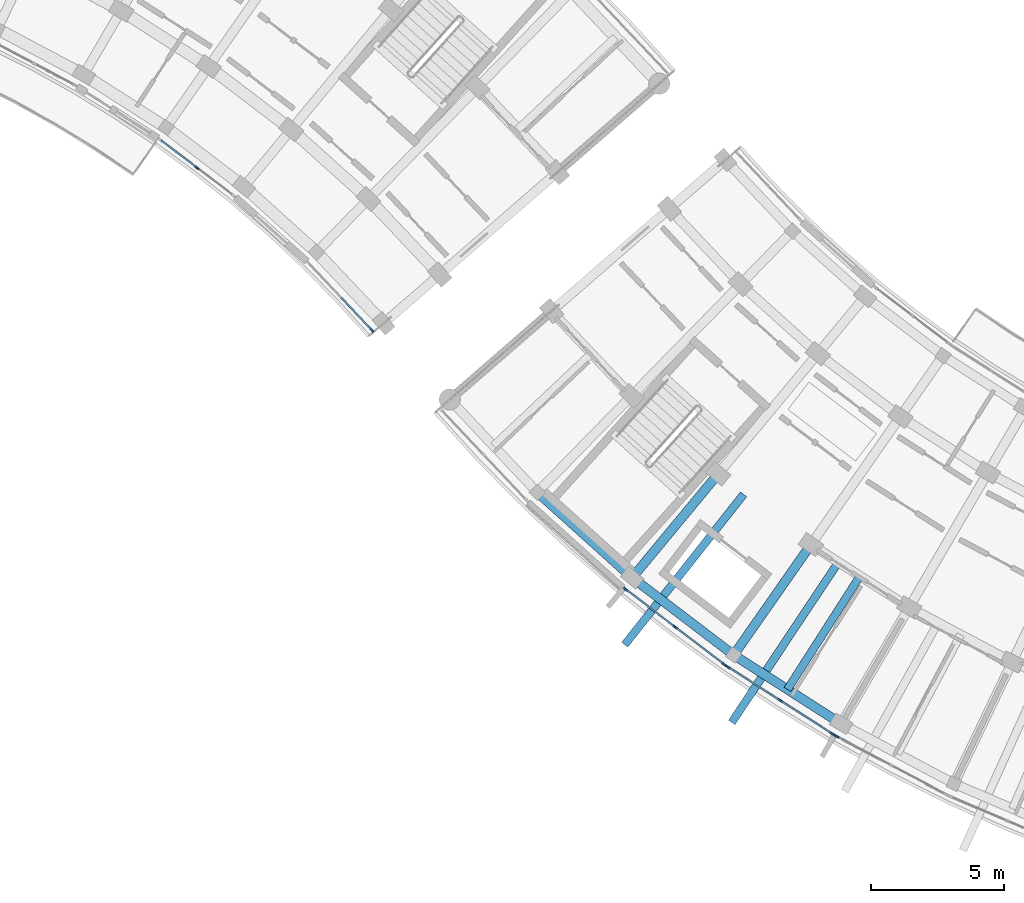
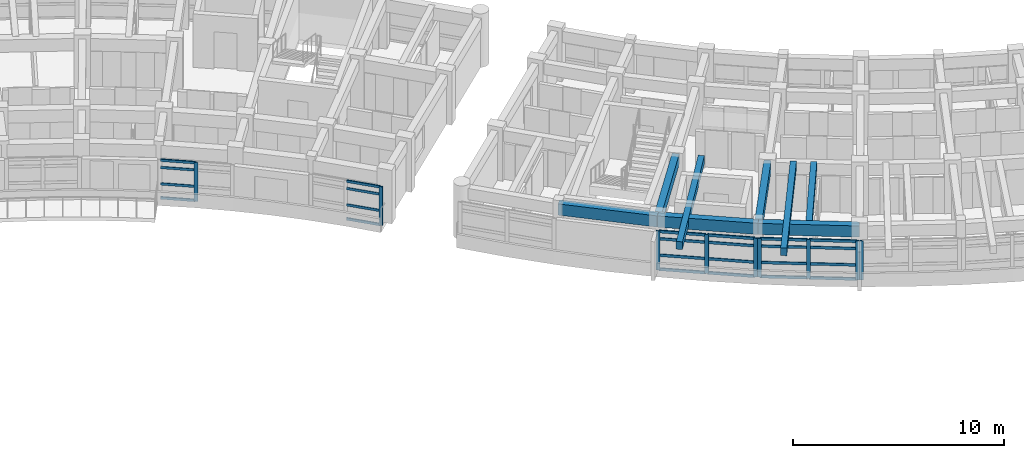
# One storey, part 9 of 56: 33 members, 8 beams, 5 elements without a shape of their own.
"""IFC4 building model written with IfcOpenShell, lengths in metres."""

from ifc_helpers import new_model, si_unit, direction, frame, origin, origin_2d, place, context, subcontext, project, spatial, rectangle, extrude, material, material_profile, profile_set, type_object, element, aggregate, save


model = new_model("IFC4")

# Units and contexts
model_context = context("Model", 3, precision=1e-05, world=origin(), true_north=direction((0.0, 1.0)))
body_context = subcontext(model_context, "Body", "Model", "MODEL_VIEW")
ifc_project = project(units=[si_unit("LENGTHUNIT", "METRE"), si_unit("AREAUNIT", "SQUARE_METRE"), si_unit("VOLUMEUNIT", "CUBIC_METRE"), si_unit("PLANEANGLEUNIT", "RADIAN"), si_unit("MASSUNIT", "GRAM", prefix="KILO")], contexts=[model_context])

# Site, building, storey
site_placement = place(None, origin())
site = spatial("IfcSite", under=ifc_project, at=site_placement, CompositionType="ELEMENT")
building_placement = place(site_placement, origin())
building = spatial("IfcBuilding", under=site, at=building_placement, Name="Zimvara Arc Housing Community", CompositionType="ELEMENT")
storey_placement = place(building_placement, frame((0.0, 0.0, 17.39990234375)))
storey = spatial("IfcBuildingStorey", under=building, at=storey_placement, Name="L05", CompositionType="ELEMENT", Elevation=17.39990234375)

# Beams
ifc_material_1 = material(Name="Concrete C40/50", Category="concrete")
ifc_material_profile_1 = material_profile(ifc_material_1, rectangle(XDim=0.300048828125, YDim=0.449951171875, at=origin_2d()), Name="RC 300x450")
ifc_profile_set_1 = profile_set([ifc_material_profile_1], Name="Concrete C40/50")
beam_type_1 = type_object("IfcBeamType", Name="BM-RC-300x450", PredefinedType="JOIST", material=ifc_profile_set_1)
beam_1_placement = place(storey_placement, frame((97.00244140625, 64.583984375, 2.64501953125), z_axis=(-0.539052331508, -0.842272274206, 0.0), x_axis=(0.842272274206, -0.539052331508, 0.0)))
element("IfcBeam", 1, at=beam_1_placement, inside=storey, type_object=beam_type_1, Name="bm:blkC:L05:joist:b3", PredefinedType="JOIST", context=body_context, shape_type="SweptSolid", body=[
    extrude(rectangle(XDim=0.300048828125, YDim=0.449951171875, at=origin_2d()), origin(), (0.0, 0.0, 1.0), 5.07568359375),
])
for number, where, z_axis, x_axis, name in (
    (2, (92.614013671875, 67.65625, 2.6650390625), (-0.620185744854, -0.784454996721, 0.0), (0.784454996721, -0.620185744854, 0.0), "bm:blkC:L05:cant_out:b2"),
    (3, (96.168701171875, 65.07470703125, 2.6650390625), (-0.554114811637, -0.832440253426, 0.0), (0.832440253426, -0.554114811637, 0.0), "bm:blkC:L05:cant_out:b3"),
):
    element("IfcBeam", number, at=place(storey_placement, frame(where, z_axis=z_axis, x_axis=x_axis)), inside=storey, type_object=beam_type_1, Name=name, PredefinedType="JOIST", context=body_context, shape_type="SweptSolid", body=[
        extrude(rectangle(XDim=0.300048828125, YDim=0.449951171875, at=origin_2d()), origin(), (0.0, 0.0, 1.0), 7.219970703125),
    ])
ifc_material_2 = material(Name="Concrete C40/50", Category="concrete")
ifc_material_profile_2 = material_profile(ifc_material_2, rectangle(XDim=0.35009765625, YDim=0.60009765625, at=origin_2d()), Name="RC 350x600")
ifc_profile_set_2 = profile_set([ifc_material_profile_2], Name="Concrete C40/50")
beam_type_2 = type_object("IfcBeamType", Name="BM-RC-350x600", PredefinedType="BEAM", material=ifc_profile_set_2)
beam_2_placement = place(storey_placement, frame((91.65771484375, 68.430419921875, 2.570068359375), z_axis=(-0.637960059333, -0.770069453164, 0.0), x_axis=(0.770069453164, -0.637960059333, 0.0)))
element("IfcBeam", 4, at=beam_2_placement, inside=storey, type_object=beam_type_2, Name="bm:blkC:L05:rad:b2:r23", PredefinedType="BEAM", context=body_context, shape_type="SweptSolid", body=[
    extrude(rectangle(XDim=0.35009765625, YDim=0.60009765625, at=origin_2d()), origin(), (0.0, 0.0, 1.0), 5.080322265625),
])
beam_3_placement = place(storey_placement, frame((95.15234375, 65.76806640625, 2.570068359375), z_axis=(-0.573007469479, -0.819550144848, 0.0), x_axis=(0.819550144848, -0.573007469479, 0.0)))
element("IfcBeam", 5, at=beam_3_placement, inside=storey, type_object=beam_type_2, Name="bm:blkC:L05:rad:b3:r23", PredefinedType="BEAM", context=body_context, shape_type="SweptSolid", body=[
    extrude(rectangle(XDim=0.35009765625, YDim=0.60009765625, at=origin_2d()), origin(), (0.0, 0.0, 1.0), 5.080078125),
])
ifc_material_3 = material(Name="Concrete C40/50", Category="concrete")
ifc_material_profile_3 = material_profile(ifc_material_3, rectangle(XDim=0.35009765625, YDim=0.64990234375, at=origin_2d()), Name="RC 350x650")
ifc_profile_set_3 = profile_set([ifc_material_profile_3], Name="Concrete C40/50")
beam_type_3 = type_object("IfcBeamType", Name="BM-RC-350x650", PredefinedType="BEAM", material=ifc_profile_set_3)
for number, where, z_axis, x_axis, name in (
    (6, (84.842529296875, 67.734375, 2.545166015625), (0.743369885629, -0.668880567172, 0.0), (0.668880567172, 0.743369885629, 0.0), "bm:blkC:L05:chord:r3:b1"),
    (7, (88.416748046875, 64.518310546875, 2.545166015625), (0.795480673672, -0.605978958228, 0.0), (0.605978958228, 0.795480673672, 0.0), "bm:blkC:L05:chord:r3:b2"),
    (8, (92.241455078125, 61.604736328125, 2.545166015625), (0.842278777856, -0.539042169383, 0.0), (0.539042169383, 0.842278777856, 0.0), "bm:blkC:L05:chord:r3:b3"),
):
    element("IfcBeam", number, at=place(storey_placement, frame(where, z_axis=z_axis, x_axis=x_axis)), inside=storey, type_object=beam_type_3, Name=name, PredefinedType="BEAM", context=body_context, shape_type="SweptSolid", body=[
        extrude(rectangle(XDim=0.35009765625, YDim=0.64990234375, at=origin_2d()), origin(), (0.0, 0.0, 1.0), 4.80810546875),
    ])

# Curtain wall, member
ifc_material_4 = material(Name="Anodised Aluminium AW-6063", Category="aluminium")
curtain_wall_type_1 = type_object("IfcCurtainWallType", Name="CW-SYS-06", PredefinedType="USERDEFINED", material=ifc_material_4)
curtain_wall_1_placement = place(storey_placement, origin())
curtain_wall_1 = element("IfcCurtainWall", 9, at=curtain_wall_1_placement, inside=storey, type_object=curtain_wall_type_1, Name="cw:blkB:L05:in:b7", ObjectType="CURTAIN WALL", PredefinedType="USERDEFINED")
ifc_material_5 = material(Name="Anodised Aluminium AW-6063", Category="aluminium")
ifc_material_profile_4 = material_profile(ifc_material_5, rectangle(XDim=0.06494140625, YDim=0.179931640625, at=origin_2d()), Name="ALU 65x180")
ifc_profile_set_4 = profile_set([ifc_material_profile_4], Name="Anodised Aluminium AW-6063")
member_type_1 = type_object("IfcMemberType", Name="CWM-65x150", PredefinedType="MULLION", material=ifc_profile_set_4)
member_1_placement = place(storey_placement, frame((72.0166015625, 79.96435546875, 0.0), z_axis=(0.0, 0.0, 1.0), x_axis=(0.605988318533, 0.795473543119, 0.0)))
member_1 = element("IfcMember", 10, at=member_1_placement, type_object=member_type_1, Name="CW06 mullion 2", PredefinedType="MULLION", context=body_context, shape_type="SweptSolid", body=[
    extrude(rectangle(XDim=0.06494140625, YDim=0.179931640625, at=origin_2d()), origin(), (0.0, 0.0, 1.0), 2.25),
])

ifc_material_6 = material(Name="Anodised Aluminium AW-6063", Category="aluminium")
curtain_wall_type_2 = type_object("IfcCurtainWallType", Name="CW-SYS-08", PredefinedType="USERDEFINED", material=ifc_material_6)
curtain_wall_2_placement = place(storey_placement, origin())
curtain_wall_2 = element("IfcCurtainWall", 11, at=curtain_wall_2_placement, inside=storey, type_object=curtain_wall_type_2, Name="cw:blkB:L05:in:b9", ObjectType="CURTAIN WALL", PredefinedType="USERDEFINED")
member_2_placement = place(storey_placement, frame((78.611572265625, 73.840576171875, 0.0), z_axis=(0.0, 0.0, 1.0), x_axis=(0.727293280483, 0.686326805658, 0.0)))
member_2 = element("IfcMember", 12, at=member_2_placement, type_object=member_type_1, Name="CW08 mullion 3", PredefinedType="MULLION", context=body_context, shape_type="SweptSolid", body=[
    extrude(rectangle(XDim=0.06494140625, YDim=0.179931640625, at=origin_2d()), origin(), (0.0, 0.0, 1.0), 2.25),
])

# Curtain wall, members
ifc_material_7 = material(Name="Anodised Aluminium AW-6063", Category="aluminium")
curtain_wall_type_3 = type_object("IfcCurtainWallType", Name="CW-SYS-01", PredefinedType="USERDEFINED", material=ifc_material_7)
curtain_wall_3_placement = place(storey_placement, origin())
curtain_wall_3 = element("IfcCurtainWall", 13, at=curtain_wall_3_placement, inside=storey, type_object=curtain_wall_type_3, Name="cw:blkC:L05:out:b2", ObjectType="CURTAIN WALL", PredefinedType="USERDEFINED")
ifc_material_8 = material(Name="Anodised Aluminium AW-6063", Category="aluminium")
ifc_material_profile_5 = material_profile(ifc_material_8, rectangle(XDim=0.06494140625, YDim=0.195068359375, at=origin_2d()), Name="ALU 65x195")
ifc_profile_set_5 = profile_set([ifc_material_profile_5], Name="Anodised Aluminium AW-6063")
member_type_2 = type_object("IfcMemberType", Name="CWM-65x180", PredefinedType="MULLION", material=ifc_profile_set_5)
member_3_placement = place(storey_placement, frame((88.17138671875, 64.077392578125, 0.0), z_axis=(0.0, 0.0, 1.0), x_axis=(0.60598771987, 0.795473999177, 0.0)))
member_3 = element("IfcMember", 14, at=member_3_placement, type_object=member_type_2, Name="CW01 mullion 1", PredefinedType="MULLION", context=body_context, shape_type="SweptSolid", body=[
    extrude(rectangle(XDim=0.06494140625, YDim=0.195068359375, at=origin_2d()), origin(), (0.0, 0.0, 1.0), 2.25),
])
member_4_placement = place(storey_placement, frame((90.0263671875, 62.6640625, 0.0), z_axis=(0.0, 0.0, 1.0), x_axis=(0.60598771987, 0.795473999177, 0.0)))
member_4 = element("IfcMember", 15, at=member_4_placement, type_object=member_type_2, Name="CW01 mullion 2", PredefinedType="MULLION", context=body_context, shape_type="SweptSolid", body=[
    extrude(rectangle(XDim=0.06494140625, YDim=0.195068359375, at=origin_2d()), origin(), (0.0, 0.0, 1.0), 2.25),
])
member_5_placement = place(storey_placement, frame((91.88134765625, 61.2509765625, 0.0), z_axis=(0.0, 0.0, 1.0), x_axis=(0.60598771987, 0.795473999177, 0.0)))
member_5 = element("IfcMember", 16, at=member_5_placement, type_object=member_type_2, Name="CW01 mullion 3", PredefinedType="MULLION", context=body_context, shape_type="SweptSolid", body=[
    extrude(rectangle(XDim=0.06494140625, YDim=0.195068359375, at=origin_2d()), origin(), (0.0, 0.0, 1.0), 2.25),
])

ifc_material_9 = material(Name="Anodised Aluminium AW-6063", Category="aluminium")
curtain_wall_type_4 = type_object("IfcCurtainWallType", Name="CW-SYS-03", PredefinedType="USERDEFINED", material=ifc_material_9)
curtain_wall_4_placement = place(storey_placement, origin())
curtain_wall_4 = element("IfcCurtainWall", 17, at=curtain_wall_4_placement, inside=storey, type_object=curtain_wall_type_4, Name="cw:blkC:L05:out:b3", ObjectType="CURTAIN WALL", PredefinedType="USERDEFINED")
member_6_placement = place(storey_placement, frame((92.032958984375, 61.14501953125, 0.0), z_axis=(0.0, 0.0, 1.0), x_axis=(0.539064617721, 0.842264410931, 0.0)))
member_6 = element("IfcMember", 18, at=member_6_placement, type_object=member_type_2, Name="CW03 mullion 1", PredefinedType="MULLION", context=body_context, shape_type="SweptSolid", body=[
    extrude(rectangle(XDim=0.06494140625, YDim=0.195068359375, at=origin_2d()), origin(), (0.0, 0.0, 1.0), 2.25),
])
member_7_placement = place(storey_placement, frame((93.9970703125, 59.887939453125, 0.0), z_axis=(0.0, 0.0, 1.0), x_axis=(0.539064617721, 0.842264410931, 0.0)))
member_7 = element("IfcMember", 19, at=member_7_placement, type_object=member_type_2, Name="CW03 mullion 2", PredefinedType="MULLION", context=body_context, shape_type="SweptSolid", body=[
    extrude(rectangle(XDim=0.06494140625, YDim=0.195068359375, at=origin_2d()), origin(), (0.0, 0.0, 1.0), 2.25),
])
member_8_placement = place(storey_placement, frame((95.961181640625, 58.630859375, 0.0), z_axis=(0.0, 0.0, 1.0), x_axis=(0.539064617721, 0.842264410931, 0.0)))
member_8 = element("IfcMember", 20, at=member_8_placement, type_object=member_type_2, Name="CW03 mullion 3", PredefinedType="MULLION", context=body_context, shape_type="SweptSolid", body=[
    extrude(rectangle(XDim=0.06494140625, YDim=0.195068359375, at=origin_2d()), origin(), (0.0, 0.0, 1.0), 2.25),
])

# Curtain wall, member
ifc_material_10 = material(Name="Anodised Aluminium AW-6063", Category="aluminium")
curtain_wall_type_5 = type_object("IfcCurtainWallType", Name="CW-SYS-05", PredefinedType="USERDEFINED", material=ifc_material_10)
curtain_wall_5_placement = place(storey_placement, origin())
curtain_wall_5 = element("IfcCurtainWall", 21, at=curtain_wall_5_placement, inside=storey, type_object=curtain_wall_type_5, Name="cw:blkC:L05:out:b4", ObjectType="CURTAIN WALL", PredefinedType="USERDEFINED")
member_9_placement = place(storey_placement, frame((96.120849609375, 58.537841796875, 0.0), z_axis=(0.0, 0.0, 1.0), x_axis=(0.468546917761, 0.883438614651, 0.0)))
member_9 = element("IfcMember", 22, at=member_9_placement, type_object=member_type_2, Name="CW05 mullion 1", PredefinedType="MULLION", context=body_context, shape_type="SweptSolid", body=[
    extrude(rectangle(XDim=0.06494140625, YDim=0.195068359375, at=origin_2d()), origin(), (0.0, 0.0, 1.0), 2.25),
])
aggregate(curtain_wall_5, [member_9])

# Member
ifc_material_11 = material(Name="Anodised Aluminium AW-6063", Category="aluminium")
ifc_material_profile_6 = material_profile(ifc_material_11, rectangle(XDim=0.06494140625, YDim=0.139892578125, at=origin_2d()), Name="ALU 65x140")
ifc_profile_set_6 = profile_set([ifc_material_profile_6], Name="Anodised Aluminium AW-6063")
member_type_3 = type_object("IfcMemberType", Name="CWT-65x120", PredefinedType="USERDEFINED", material=ifc_profile_set_6)
member_10_placement = place(storey_placement, frame((70.6669921875, 80.99267578125, 0.03271484375), z_axis=(0.795435087713, -0.606038795157, 0.0), x_axis=(0.606038795157, 0.795435087713, 0.0)))
member_10 = element("IfcMember", 23, at=member_10_placement, type_object=member_type_3, Name="CW06 transom 1.1", ObjectType="TRANSOM", PredefinedType="USERDEFINED", context=body_context, shape_type="SweptSolid", body=[
    extrude(rectangle(XDim=0.06494140625, YDim=0.139892578125, at=origin_2d()), origin(), (0.0, 0.0, 1.0), 1.6640625),
])

member_11_placement = place(storey_placement, frame((70.6669921875, 80.99267578125, 0.85009765625), z_axis=(0.795435087713, -0.606038795157, 0.0), x_axis=(0.606038795157, 0.795435087713, 0.0)))
member_11 = element("IfcMember", 24, at=member_11_placement, type_object=member_type_3, Name="CW06 transom 1.2", ObjectType="TRANSOM", PredefinedType="USERDEFINED", context=body_context, shape_type="SweptSolid", body=[
    extrude(rectangle(XDim=0.06494140625, YDim=0.139892578125, at=origin_2d()), origin(), (0.0, 0.0, 1.0), 1.6640625),
])

member_12_placement = place(storey_placement, frame((70.6669921875, 80.99267578125, 1.800048828125), z_axis=(0.795435087713, -0.606038795157, 0.0), x_axis=(0.606038795157, 0.795435087713, 0.0)))
member_12 = element("IfcMember", 25, at=member_12_placement, type_object=member_type_3, Name="CW06 transom 1.3", ObjectType="TRANSOM", PredefinedType="USERDEFINED", context=body_context, shape_type="SweptSolid", body=[
    extrude(rectangle(XDim=0.06494140625, YDim=0.139892578125, at=origin_2d()), origin(), (0.0, 0.0, 1.0), 1.6640625),
])

member_13_placement = place(storey_placement, frame((70.6669921875, 80.99267578125, 2.217529296875), z_axis=(0.795435087713, -0.606038795157, 0.0), x_axis=(0.606038795157, 0.795435087713, 0.0)))
member_13 = element("IfcMember", 26, at=member_13_placement, type_object=member_type_3, Name="CW06 transom 1.4", ObjectType="TRANSOM", PredefinedType="USERDEFINED", context=body_context, shape_type="SweptSolid", body=[
    extrude(rectangle(XDim=0.06494140625, YDim=0.139892578125, at=origin_2d()), origin(), (0.0, 0.0, 1.0), 1.6640625),
])

aggregate(curtain_wall_1, [member_1, member_10, member_11, member_12, member_13])

member_14_placement = place(storey_placement, frame((77.447021484375, 75.07470703125, 0.03271484375), z_axis=(0.686347817597, -0.727273451516, 0.0), x_axis=(0.727273451516, 0.686347817597, 0.0)))
member_14 = element("IfcMember", 27, at=member_14_placement, type_object=member_type_3, Name="CW08 transom 2.1", ObjectType="TRANSOM", PredefinedType="USERDEFINED", context=body_context, shape_type="SweptSolid", body=[
    extrude(rectangle(XDim=0.06494140625, YDim=0.139892578125, at=origin_2d()), origin(), (0.0, 0.0, 1.0), 1.664306640625),
])

member_15_placement = place(storey_placement, frame((77.447021484375, 75.07470703125, 0.85009765625), z_axis=(0.686347817597, -0.727273451516, 0.0), x_axis=(0.727273451516, 0.686347817597, 0.0)))
member_15 = element("IfcMember", 28, at=member_15_placement, type_object=member_type_3, Name="CW08 transom 2.2", ObjectType="TRANSOM", PredefinedType="USERDEFINED", context=body_context, shape_type="SweptSolid", body=[
    extrude(rectangle(XDim=0.06494140625, YDim=0.139892578125, at=origin_2d()), origin(), (0.0, 0.0, 1.0), 1.664306640625),
])

member_16_placement = place(storey_placement, frame((77.447021484375, 75.07470703125, 1.800048828125), z_axis=(0.686347817597, -0.727273451516, 0.0), x_axis=(0.727273451516, 0.686347817597, 0.0)))
member_16 = element("IfcMember", 29, at=member_16_placement, type_object=member_type_3, Name="CW08 transom 2.3", ObjectType="TRANSOM", PredefinedType="USERDEFINED", context=body_context, shape_type="SweptSolid", body=[
    extrude(rectangle(XDim=0.06494140625, YDim=0.139892578125, at=origin_2d()), origin(), (0.0, 0.0, 1.0), 1.664306640625),
])

member_17_placement = place(storey_placement, frame((77.447021484375, 75.07470703125, 2.217529296875), z_axis=(0.686347817597, -0.727273451516, 0.0), x_axis=(0.727273451516, 0.686347817597, 0.0)))
member_17 = element("IfcMember", 30, at=member_17_placement, type_object=member_type_3, Name="CW08 transom 2.4", ObjectType="TRANSOM", PredefinedType="USERDEFINED", context=body_context, shape_type="SweptSolid", body=[
    extrude(rectangle(XDim=0.06494140625, YDim=0.139892578125, at=origin_2d()), origin(), (0.0, 0.0, 1.0), 1.664306640625),
])

aggregate(curtain_wall_2, [member_2, member_14, member_15, member_16, member_17])

ifc_material_12 = material(Name="Anodised Aluminium AW-6063", Category="aluminium")
ifc_material_profile_7 = material_profile(ifc_material_12, rectangle(XDim=0.06494140625, YDim=0.155029296875, at=origin_2d()), Name="ALU 65x155")
ifc_profile_set_7 = profile_set([ifc_material_profile_7], Name="Anodised Aluminium AW-6063")
member_type_4 = type_object("IfcMemberType", Name="CWT-65x140", PredefinedType="USERDEFINED", material=ifc_profile_set_7)
member_18_placement = place(storey_placement, frame((88.197265625, 64.0576171875, 0.03271484375), z_axis=(0.795453969776, -0.606014011363, 0.0), x_axis=(0.606014011363, 0.795453969776, 0.0)))
member_18 = element("IfcMember", 31, at=member_18_placement, type_object=member_type_4, Name="CW01 transom 1.1", ObjectType="TRANSOM", PredefinedType="USERDEFINED", context=body_context, shape_type="SweptSolid", body=[
    extrude(rectangle(XDim=0.06494140625, YDim=0.155029296875, at=origin_2d()), origin(), (0.0, 0.0, 1.0), 2.266845703125),
])

member_19_placement = place(storey_placement, frame((88.197265625, 64.0576171875, 0.85009765625), z_axis=(0.795453969776, -0.606014011363, 0.0), x_axis=(0.606014011363, 0.795453969776, 0.0)))
member_19 = element("IfcMember", 32, at=member_19_placement, type_object=member_type_4, Name="CW01 transom 1.2", ObjectType="TRANSOM", PredefinedType="USERDEFINED", context=body_context, shape_type="SweptSolid", body=[
    extrude(rectangle(XDim=0.06494140625, YDim=0.155029296875, at=origin_2d()), origin(), (0.0, 0.0, 1.0), 2.266845703125),
])

member_20_placement = place(storey_placement, frame((88.197265625, 64.0576171875, 1.800048828125), z_axis=(0.795453969776, -0.606014011363, 0.0), x_axis=(0.606014011363, 0.795453969776, 0.0)))
member_20 = element("IfcMember", 33, at=member_20_placement, type_object=member_type_4, Name="CW01 transom 1.3", ObjectType="TRANSOM", PredefinedType="USERDEFINED", context=body_context, shape_type="SweptSolid", body=[
    extrude(rectangle(XDim=0.06494140625, YDim=0.155029296875, at=origin_2d()), origin(), (0.0, 0.0, 1.0), 2.266845703125),
])

member_21_placement = place(storey_placement, frame((88.197265625, 64.0576171875, 2.217529296875), z_axis=(0.795453969776, -0.606014011363, 0.0), x_axis=(0.606014011363, 0.795453969776, 0.0)))
member_21 = element("IfcMember", 34, at=member_21_placement, type_object=member_type_4, Name="CW01 transom 1.4", ObjectType="TRANSOM", PredefinedType="USERDEFINED", context=body_context, shape_type="SweptSolid", body=[
    extrude(rectangle(XDim=0.06494140625, YDim=0.155029296875, at=origin_2d()), origin(), (0.0, 0.0, 1.0), 2.266845703125),
])

member_22_placement = place(storey_placement, frame((90.05224609375, 62.64453125, 0.03271484375), z_axis=(0.795453969776, -0.606014011363, 0.0), x_axis=(0.606014011363, 0.795453969776, 0.0)))
member_22 = element("IfcMember", 35, at=member_22_placement, type_object=member_type_4, Name="CW01 transom 2.1", ObjectType="TRANSOM", PredefinedType="USERDEFINED", context=body_context, shape_type="SweptSolid", body=[
    extrude(rectangle(XDim=0.06494140625, YDim=0.155029296875, at=origin_2d()), origin(), (0.0, 0.0, 1.0), 2.266845703125),
])

member_23_placement = place(storey_placement, frame((90.05224609375, 62.64453125, 0.85009765625), z_axis=(0.795453969776, -0.606014011363, 0.0), x_axis=(0.606014011363, 0.795453969776, 0.0)))
member_23 = element("IfcMember", 36, at=member_23_placement, type_object=member_type_4, Name="CW01 transom 2.2", ObjectType="TRANSOM", PredefinedType="USERDEFINED", context=body_context, shape_type="SweptSolid", body=[
    extrude(rectangle(XDim=0.06494140625, YDim=0.155029296875, at=origin_2d()), origin(), (0.0, 0.0, 1.0), 2.266845703125),
])

member_24_placement = place(storey_placement, frame((90.05224609375, 62.64453125, 1.800048828125), z_axis=(0.795453969776, -0.606014011363, 0.0), x_axis=(0.606014011363, 0.795453969776, 0.0)))
member_24 = element("IfcMember", 37, at=member_24_placement, type_object=member_type_4, Name="CW01 transom 2.3", ObjectType="TRANSOM", PredefinedType="USERDEFINED", context=body_context, shape_type="SweptSolid", body=[
    extrude(rectangle(XDim=0.06494140625, YDim=0.155029296875, at=origin_2d()), origin(), (0.0, 0.0, 1.0), 2.266845703125),
])

member_25_placement = place(storey_placement, frame((90.05224609375, 62.64453125, 2.217529296875), z_axis=(0.795453969776, -0.606014011363, 0.0), x_axis=(0.606014011363, 0.795453969776, 0.0)))
member_25 = element("IfcMember", 38, at=member_25_placement, type_object=member_type_4, Name="CW01 transom 2.4", ObjectType="TRANSOM", PredefinedType="USERDEFINED", context=body_context, shape_type="SweptSolid", body=[
    extrude(rectangle(XDim=0.06494140625, YDim=0.155029296875, at=origin_2d()), origin(), (0.0, 0.0, 1.0), 2.266845703125),
])

aggregate(curtain_wall_3, [member_3, member_4, member_5, member_18, member_19, member_20, member_21, member_22, member_23, member_24, member_25])

member_26_placement = place(storey_placement, frame((92.060302734375, 61.127685546875, 0.03271484375), z_axis=(0.842244018672, -0.539096478388, 0.0), x_axis=(0.539096478388, 0.842244018672, 0.0)))
member_26 = element("IfcMember", 39, at=member_26_placement, type_object=member_type_4, Name="CW03 transom 1.1", ObjectType="TRANSOM", PredefinedType="USERDEFINED", context=body_context, shape_type="SweptSolid", body=[
    extrude(rectangle(XDim=0.06494140625, YDim=0.155029296875, at=origin_2d()), origin(), (0.0, 0.0, 1.0), 2.26708984375),
])

member_27_placement = place(storey_placement, frame((92.060302734375, 61.127685546875, 0.85009765625), z_axis=(0.842244018672, -0.539096478388, 0.0), x_axis=(0.539096478388, 0.842244018672, 0.0)))
member_27 = element("IfcMember", 40, at=member_27_placement, type_object=member_type_4, Name="CW03 transom 1.2", ObjectType="TRANSOM", PredefinedType="USERDEFINED", context=body_context, shape_type="SweptSolid", body=[
    extrude(rectangle(XDim=0.06494140625, YDim=0.155029296875, at=origin_2d()), origin(), (0.0, 0.0, 1.0), 2.26708984375),
])

member_28_placement = place(storey_placement, frame((92.060302734375, 61.127685546875, 1.800048828125), z_axis=(0.842244018672, -0.539096478388, 0.0), x_axis=(0.539096478388, 0.842244018672, 0.0)))
member_28 = element("IfcMember", 41, at=member_28_placement, type_object=member_type_4, Name="CW03 transom 1.3", ObjectType="TRANSOM", PredefinedType="USERDEFINED", context=body_context, shape_type="SweptSolid", body=[
    extrude(rectangle(XDim=0.06494140625, YDim=0.155029296875, at=origin_2d()), origin(), (0.0, 0.0, 1.0), 2.26708984375),
])

member_29_placement = place(storey_placement, frame((92.060302734375, 61.127685546875, 2.217529296875), z_axis=(0.842244018672, -0.539096478388, 0.0), x_axis=(0.539096478388, 0.842244018672, 0.0)))
member_29 = element("IfcMember", 42, at=member_29_placement, type_object=member_type_4, Name="CW03 transom 1.4", ObjectType="TRANSOM", PredefinedType="USERDEFINED", context=body_context, shape_type="SweptSolid", body=[
    extrude(rectangle(XDim=0.06494140625, YDim=0.155029296875, at=origin_2d()), origin(), (0.0, 0.0, 1.0), 2.26708984375),
])

member_30_placement = place(storey_placement, frame((94.0244140625, 59.87060546875, 0.03271484375), z_axis=(0.842244018672, -0.539096478388, 0.0), x_axis=(0.539096478388, 0.842244018672, 0.0)))
member_30 = element("IfcMember", 43, at=member_30_placement, type_object=member_type_4, Name="CW03 transom 2.1", ObjectType="TRANSOM", PredefinedType="USERDEFINED", context=body_context, shape_type="SweptSolid", body=[
    extrude(rectangle(XDim=0.06494140625, YDim=0.155029296875, at=origin_2d()), origin(), (0.0, 0.0, 1.0), 2.26708984375),
])

member_31_placement = place(storey_placement, frame((94.0244140625, 59.87060546875, 0.85009765625), z_axis=(0.842244018672, -0.539096478388, 0.0), x_axis=(0.539096478388, 0.842244018672, 0.0)))
member_31 = element("IfcMember", 44, at=member_31_placement, type_object=member_type_4, Name="CW03 transom 2.2", ObjectType="TRANSOM", PredefinedType="USERDEFINED", context=body_context, shape_type="SweptSolid", body=[
    extrude(rectangle(XDim=0.06494140625, YDim=0.155029296875, at=origin_2d()), origin(), (0.0, 0.0, 1.0), 2.26708984375),
])

member_32_placement = place(storey_placement, frame((94.0244140625, 59.87060546875, 1.800048828125), z_axis=(0.842244018672, -0.539096478388, 0.0), x_axis=(0.539096478388, 0.842244018672, 0.0)))
member_32 = element("IfcMember", 45, at=member_32_placement, type_object=member_type_4, Name="CW03 transom 2.3", ObjectType="TRANSOM", PredefinedType="USERDEFINED", context=body_context, shape_type="SweptSolid", body=[
    extrude(rectangle(XDim=0.06494140625, YDim=0.155029296875, at=origin_2d()), origin(), (0.0, 0.0, 1.0), 2.26708984375),
])

member_33_placement = place(storey_placement, frame((94.0244140625, 59.87060546875, 2.217529296875), z_axis=(0.842244018672, -0.539096478388, 0.0), x_axis=(0.539096478388, 0.842244018672, 0.0)))
member_33 = element("IfcMember", 46, at=member_33_placement, type_object=member_type_4, Name="CW03 transom 2.4", ObjectType="TRANSOM", PredefinedType="USERDEFINED", context=body_context, shape_type="SweptSolid", body=[
    extrude(rectangle(XDim=0.06494140625, YDim=0.155029296875, at=origin_2d()), origin(), (0.0, 0.0, 1.0), 2.26708984375),
])

aggregate(curtain_wall_4, [member_6, member_7, member_8, member_26, member_27, member_28, member_29, member_30, member_31, member_32, member_33])

save(model, "model.ifc")
